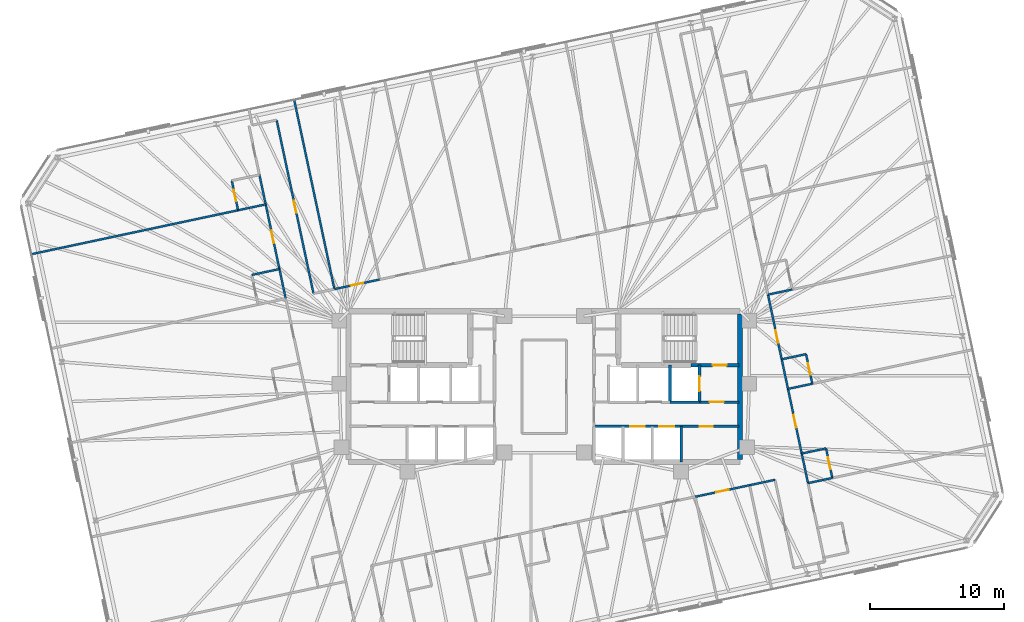
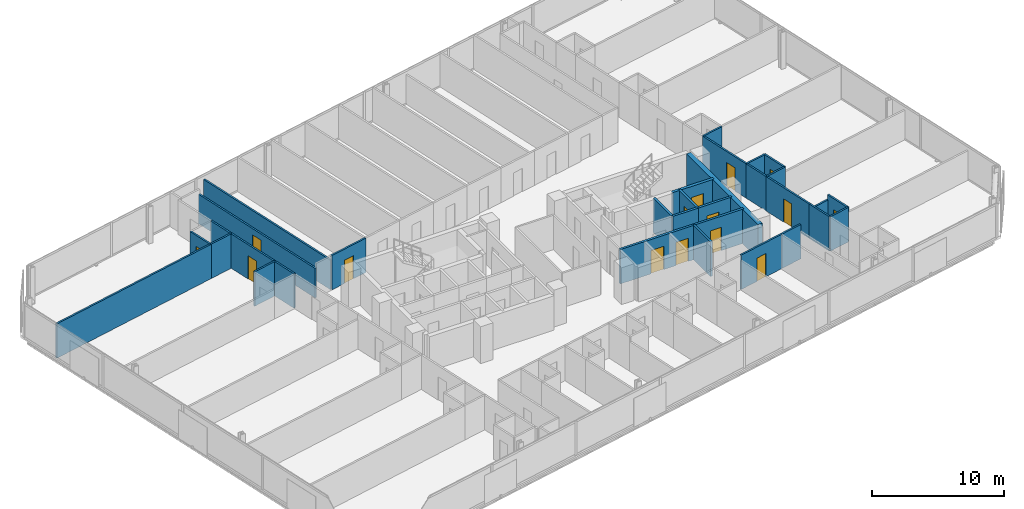
# One storey, part 17 of 21: 31 walls, 15 doors, 15 openings.
"""IFC4 building model written with IfcOpenShell, lengths in metres."""

import ifcopenshell
import ifcopenshell.guid

model = None  # the IFC model being written
_history = None  # IfcOwnerHistory: only IFC2X3 demands one
_inside = {}  # id of a spatial element -> (the spatial element, [elements in it])
_under = {}  # id of a project, library or spatial element -> (it, [spatial elements below it])
_declared = {}  # id of a project -> (the project, [libraries it declares])
_typed = {}  # id of a type object -> (the type object, [elements of that type])
_made_of = {}  # id of a material, layer set ... -> (it, [elements and type objects made of it])


def new_model(schema):
    """Start an empty IFC model of exactly this schema.

    Asked for "IFC4X3", IfcOpenShell would pick the latest addendum, in which some entities
    have other attributes; the version numbers below select the first issue.
    IFC2X3 requires an IfcOwnerHistory on every rooted entity: one is made here for all.
    """
    global model, _history
    if schema == "IFC4X3":
        model = ifcopenshell.file(schema_version=(4, 3, 0, 0))
    else:
        model = ifcopenshell.file(schema=schema)
    _inside.clear()
    _under.clear()
    _declared.clear()
    _typed.clear()
    _made_of.clear()
    _history = None
    if model.schema == "IFC2X3":
        org = make("IfcOrganization", Name="unknown")
        user = make(
            "IfcPersonAndOrganization",
            ThePerson=make("IfcPerson", FamilyName="unknown"),
            TheOrganization=org,
        )
        app = make(
            "IfcApplication",
            ApplicationDeveloper=org,
            Version="unknown",
            ApplicationFullName="unknown",
            ApplicationIdentifier="unknown",
        )
        _history = make(
            "IfcOwnerHistory",
            OwningUser=user,
            OwningApplication=app,
            ChangeAction="ADDED",
            CreationDate=0,
        )
    return model


def make(cls, **values):
    """One entity of the class cls with the attributes given. An attribute that is None is left unset."""
    return model.create_entity(
        cls, **{name: value for name, value in values.items() if value is not None}
    )


def rooted(cls, **values):
    """An entity with a GlobalId (a new one), such as an element, a storey or a relation."""
    return make(cls, GlobalId=ifcopenshell.guid.new(), OwnerHistory=_history, **values)


def si_unit(unit_type, name, prefix=None):
    """IfcSIUnit, for example si_unit("LENGTHUNIT", "METRE", prefix="MILLI")."""
    return make("IfcSIUnit", UnitType=unit_type, Prefix=prefix, Name=name)


def assignment(units):
    """IfcUnitAssignment: the units of a project."""
    return None if units is None else make("IfcUnitAssignment", Units=units)


def point(xyz):
    """IfcCartesianPoint."""
    return None if xyz is None else make("IfcCartesianPoint", Coordinates=xyz)


def direction(xyz):
    """IfcDirection."""
    return None if xyz is None else make("IfcDirection", DirectionRatios=xyz)


def frame(location, z_axis=None, x_axis=None):
    """IfcAxis2Placement3D, a coordinate frame: its origin and axes. An axis left out is left unset."""
    return make(
        "IfcAxis2Placement3D",
        Location=point(location),
        Axis=direction(z_axis),
        RefDirection=direction(x_axis),
    )


def frame_2d(location, x_axis=None):
    """IfcAxis2Placement2D, a coordinate frame in the plane: its origin and x axis."""
    return make(
        "IfcAxis2Placement2D", Location=point(location), RefDirection=direction(x_axis)
    )


def origin():
    """The frame at (0, 0, 0) with its axes left unset."""
    return frame((0.0, 0.0, 0.0))


def place(relative_to, where):
    """IfcLocalPlacement: puts the frame where relative to a parent placement (None: the world)."""
    return make(
        "IfcLocalPlacement", PlacementRelTo=relative_to, RelativePlacement=where
    )


def context(
    kind, dimensions, precision=None, world=None, true_north=None, identifier=None
):
    """IfcGeometricRepresentationContext, for example the 3D "Model" context."""
    return make(
        "IfcGeometricRepresentationContext",
        ContextIdentifier=identifier,
        ContextType=kind,
        CoordinateSpaceDimension=dimensions,
        Precision=precision,
        WorldCoordinateSystem=world,
        TrueNorth=true_north,
    )


def subcontext(parent, identifier, kind, view, scale=None):
    """IfcGeometricRepresentationSubContext, for example "Body" below "Model"."""
    return make(
        "IfcGeometricRepresentationSubContext",
        ContextIdentifier=identifier,
        ContextType=kind,
        ParentContext=parent,
        TargetScale=scale,
        TargetView=view,
    )


def project(units=None, contexts=None):
    """IfcProject with its units and contexts."""
    return rooted(
        "IfcProject",
        Name="project",
        RepresentationContexts=contexts,
        UnitsInContext=assignment(units),
    )


def spatial(cls, under=None, at=None, **own):
    """A site, building, storey or space (cls), placed at a placement, below another one or the project."""
    s = rooted(cls, ObjectPlacement=at, **own)
    if under is not None:
        _under.setdefault(under.id(), (under, []))[1].append(s)
    return s


def profile(cls, at=None, kind="AREA", **sizes):
    """A parametric profile (cls). Its sizes go by their IFC names, for example OverallWidth=200.0."""
    return make(cls, ProfileType=kind, Position=at, **sizes)


def rectangle(**sizes):
    """IfcRectangleProfileDef."""
    return profile("IfcRectangleProfileDef", **sizes)


def extrude(swept, where, along, depth):
    """IfcExtrudedAreaSolid: the profile swept, set in the frame where, extruded along a direction by depth."""
    return make(
        "IfcExtrudedAreaSolid",
        SweptArea=swept,
        Position=where,
        ExtrudedDirection=direction(along),
        Depth=depth,
    )


def shape(context_of_items, identifier, shape_type, items):
    """IfcShapeRepresentation: the items that make up one representation, for example the "Body"."""
    return make(
        "IfcShapeRepresentation",
        ContextOfItems=context_of_items,
        RepresentationIdentifier=identifier,
        RepresentationType=shape_type,
        Items=items,
    )


def material(Name=None, Category=None):
    """IfcMaterial."""
    return make("IfcMaterial", Name=Name, Category=Category)


def layer(
    of_material, thickness, ventilated=None, Name=None, Category=None, Priority=None
):
    """IfcMaterialLayer: one layer of a wall or slab, of a material (None: an air gap)."""
    return make(
        "IfcMaterialLayer",
        Material=of_material,
        LayerThickness=thickness,
        IsVentilated=ventilated,
        Name=Name,
        Category=Category,
        Priority=Priority,
    )


def layer_set(layers, Name=None):
    """IfcMaterialLayerSet."""
    return make("IfcMaterialLayerSet", MaterialLayers=layers, LayerSetName=Name)


def made_of(thing, what):
    """Note that an element or type object is made of a material, layer set ...; save() writes the relation."""
    if what is not None:
        _made_of.setdefault(what.id(), (what, []))[1].append(thing)
    return thing


def type_object(cls, material=None, **own):
    """A type object (cls), such as IfcWallType, which elements share."""
    return made_of(rooted(cls, **own), material)


def element(
    cls,
    number,
    at=None,
    inside=None,
    cuts=None,
    type_object=None,
    material=None,
    context=None,
    identifier="Body",
    shape_type=None,
    held_by="IfcProductDefinitionShape",
    body=None,
    shapes=None,
    **own,
):
    """One element of the class cls, such as IfcWall. Its Tag is "e" and its number.

    at: its placement. inside: the storey or other place that contains it. cuts: it is an
    opening in that element (IfcRelVoidsElement). A single representation is given by context,
    identifier, shape_type and body (its items); several are given by shapes. held_by: the class
    of the entity that holds the representations. save() writes the other relations.
    """
    e = rooted(cls, Tag="e%d" % number, ObjectPlacement=at, **own)
    if body is not None:
        shapes = [shape(context, identifier, shape_type, body)]
    if shapes is not None:
        e.Representation = make(held_by, Representations=shapes)
    if inside is not None:
        _inside.setdefault(inside.id(), (inside, []))[1].append(e)
    if cuts is not None:
        rooted(
            "IfcRelVoidsElement", RelatingBuildingElement=cuts, RelatedOpeningElement=e
        )
    if type_object is not None:
        _typed.setdefault(type_object.id(), (type_object, []))[1].append(e)
    return made_of(e, material)


def fill(opening, filler):
    """IfcRelFillsElement: the door or window that sits in an opening."""
    return rooted(
        "IfcRelFillsElement",
        RelatingOpeningElement=opening,
        RelatedBuildingElement=filler,
    )


def aggregate(whole, parts):
    """IfcRelAggregates: a whole, such as a stair, and the parts it consists of."""
    return rooted("IfcRelAggregates", RelatingObject=whole, RelatedObjects=parts)


def save(model, path):
    """Write the relations noted so far, then the file.

    IfcRelAggregates (storeys below a building ...), IfcRelContainedInSpatialStructure (elements
    in a storey), IfcRelDefinesByType, IfcRelAssociatesMaterial and IfcRelDeclares: one each for
    every whole, place, type object, material and project.
    """
    for whole, parts in _under.values():
        aggregate(whole, parts)
    for where, things in _inside.values():
        rooted(
            "IfcRelContainedInSpatialStructure",
            RelatedElements=things,
            RelatingStructure=where,
        )
    for kind, things in _typed.values():
        rooted("IfcRelDefinesByType", RelatedObjects=things, RelatingType=kind)
    for what, things in _made_of.values():
        rooted("IfcRelAssociatesMaterial", RelatedObjects=things, RelatingMaterial=what)
    for by, libraries in _declared.values():
        rooted("IfcRelDeclares", RelatingContext=by, RelatedDefinitions=libraries)
    model.write(path)


model = new_model("IFC4")

# Units and contexts
model_context = context("Model", 3, precision=1e-05, world=origin(), true_north=direction((0.0, 1.0)))
body_context = subcontext(model_context, "Body", "Model", "MODEL_VIEW")
ifc_project = project(units=[si_unit("LENGTHUNIT", "METRE"), si_unit("AREAUNIT", "SQUARE_METRE"), si_unit("VOLUMEUNIT", "CUBIC_METRE"), si_unit("PLANEANGLEUNIT", "RADIAN"), si_unit("MASSUNIT", "GRAM", prefix="KILO")], contexts=[model_context])

# Site, building, storey
site_placement = place(None, origin())
site = spatial("IfcSite", under=ifc_project, at=site_placement, CompositionType="ELEMENT")
building_placement = place(site_placement, origin())
building = spatial("IfcBuilding", under=site, at=building_placement, Name="Menara Jurai Vektor", CompositionType="ELEMENT")
storey_placement = place(building_placement, frame((0.0, 0.0, 168.39990234375)))
storey = spatial("IfcBuildingStorey", under=building, at=storey_placement, Name="L43", CompositionType="ELEMENT", Elevation=168.39990234375)

# Wall, opening, door
ifc_material_1 = material(Name="Concrete C40/50", Category="concrete")
ifc_layer_1 = layer(ifc_material_1, 0.25)
ifc_layer_set_1 = layer_set([ifc_layer_1], Name="Concrete C40/50")
wall_type_1 = type_object("IfcWallType", Name="INT-WALL-CORE-250", PredefinedType="STANDARD", material=ifc_layer_set_1)
wall_1_placement = place(storey_placement, frame((10.89990234375, 1.60009765625, 0.0), z_axis=(0.0, 0.0, 1.0), x_axis=(1.0, 0.0, 0.0)))
wall_1 = element("IfcWall", 1, at=wall_1_placement, inside=storey, type_object=wall_type_1, Name="Interior Wall IW-250 L43", PredefinedType="STANDARD", context=body_context, shape_type="SweptSolid", body=[
    extrude(rectangle(XDim=3.60009765625, YDim=0.25, at=frame_2d((1.800048828125, 0.0))), origin(), (0.0, 0.0, 1.0), 3.175048828125),
])
opening_1_placement = place(wall_1_placement, frame((1.6201171875, 0.0, 0.0)))
opening_1 = element("IfcOpeningElement", 2, at=opening_1_placement, cuts=wall_1, Name="Opening D-L43-ST2", PredefinedType="OPENING", context=body_context, shape_type="SweptSolid", body=[
    extrude(rectangle(XDim=1.050048828125, YDim=2.14990234375, at=frame_2d((0.52490234375, 1.074951171875))), frame((0.0, 0.135009765625, 0.0), z_axis=(0.0, -1.0, 0.0), x_axis=(1.0, 0.0, 0.0)), (0.0, 0.0, 1.0), 0.27001953125),
])
ifc_material_2 = material(Name="Fire-Rated Steel Door", Category="steel")
door_type_1 = type_object("IfcDoorType", Name="DR-STAIR-1050", OperationType="NOTDEFINED", PredefinedType="DOOR", material=ifc_material_2)
door_1_placement = place(opening_1_placement, origin())
door_1 = element("IfcDoor", 3, at=door_1_placement, inside=storey, type_object=door_type_1, Name="Exit Stair ST2 Door L43", OperationType="SINGLE_SWING_LEFT", OverallHeight=2.14990234375, OverallWidth=1.050048828125, PredefinedType="DOOR", context=body_context, shape_type="SweptSolid", body=[
    extrude(rectangle(XDim=1.050048828125, YDim=2.14990234375, at=frame_2d((0.52490234375, 1.074951171875))), frame((0.0, 0.02490234375, 0.0), z_axis=(0.0, -1.0, 0.0), x_axis=(1.0, 0.0, 0.0)), (0.0, 0.0, 1.0), 0.050048828125),
])
fill(opening_1, door_1)

wall_2_placement = place(storey_placement, frame((11.550048828125, -1.14990234375, 0.0), z_axis=(0.0, 0.0, 1.0), x_axis=(0.0, 1.0, 0.0)))
wall_2 = element("IfcWall", 4, at=wall_2_placement, inside=storey, type_object=wall_type_1, Name="Interior Wall IW-250 L43", PredefinedType="STANDARD", context=body_context, shape_type="SweptSolid", body=[
    extrude(rectangle(XDim=2.75, YDim=0.199951171875, at=frame_2d((1.375, 0.0))), origin(), (0.0, 0.0, 1.0), 3.175048828125),
])
opening_2_placement = place(wall_2_placement, frame((0.824951171875, 0.0, 0.0)))
opening_2 = element("IfcOpeningElement", 5, at=opening_2_placement, cuts=wall_2, Name="Opening LD-L43-FL2", PredefinedType="OPENING", context=body_context, shape_type="SweptSolid", body=[
    extrude(rectangle(XDim=1.10009765625, YDim=2.14990234375, at=frame_2d((0.550048828125, 1.074951171875))), frame((0.0, 0.10986328125, 0.0), z_axis=(0.0, -1.0, 0.0), x_axis=(1.0, 0.0, 0.0)), (0.0, 0.0, 1.0), 0.219970703125),
])
ifc_material_3 = material(Name="Stainless Steel Sliding Lift Landing Door", Category="steel")
door_type_2 = type_object("IfcDoorType", Name="DR-LIFT-FIRE-1100", OperationType="NOTDEFINED", PredefinedType="DOOR", material=ifc_material_3)
door_2_placement = place(opening_2_placement, origin())
door_2 = element("IfcDoor", 6, at=door_2_placement, inside=storey, type_object=door_type_2, Name="Lift Landing Door FL2 L43", OperationType="SLIDING_TO_RIGHT", OverallHeight=2.14990234375, OverallWidth=1.10009765625, PredefinedType="DOOR", context=body_context, shape_type="SweptSolid", body=[
    extrude(rectangle(XDim=1.10009765625, YDim=2.14990234375, at=frame_2d((0.550048828125, 1.074951171875))), frame((0.0, 0.02490234375, 0.0), z_axis=(0.0, -1.0, 0.0), x_axis=(1.0, 0.0, 0.0)), (0.0, 0.0, 1.0), 0.050048828125),
])
fill(opening_2, door_2)

# Wall
wall_3_placement = place(storey_placement, frame((9.35009765625, -1.14990234375, 0.0), z_axis=(0.0, 0.0, 1.0), x_axis=(0.0, 1.0, 0.0)))
element("IfcWall", 7, at=wall_3_placement, inside=storey, type_object=wall_type_1, Name="Interior Wall IW-250 L43", PredefinedType="STANDARD", context=body_context, shape_type="SweptSolid", body=[
    extrude(rectangle(XDim=2.75, YDim=0.199951171875, at=frame_2d((1.375, 0.0))), origin(), (0.0, 0.0, 1.0), 3.175048828125),
])

# Wall, opening, door
wall_4_placement = place(storey_placement, frame((11.550048828125, -1.14990234375, 0.0), z_axis=(0.0, 0.0, 1.0), x_axis=(1.0, 0.0, 0.0)))
wall_4 = element("IfcWall", 8, at=wall_4_placement, inside=storey, type_object=wall_type_1, Name="Interior Wall IW-250 L43", PredefinedType="STANDARD", context=body_context, shape_type="SweptSolid", body=[
    extrude(rectangle(XDim=2.949951171875, YDim=0.199951171875, at=frame_2d((1.47509765625, 0.0))), origin(), (0.0, 0.0, 1.0), 3.175048828125),
])
opening_3_placement = place(wall_4_placement, frame((0.75, 0.0, 0.0)))
opening_3 = element("IfcOpeningElement", 9, at=opening_3_placement, cuts=wall_4, Name="Opening D-L43-FFE", PredefinedType="OPENING", context=body_context, shape_type="SweptSolid", body=[
    extrude(rectangle(XDim=1.050048828125, YDim=2.179931640625, at=frame_2d((0.52490234375, 1.08984375))), frame((0.0, 0.10986328125, 0.0), z_axis=(0.0, -1.0, 0.0), x_axis=(1.0, 0.0, 0.0)), (0.0, 0.0, 1.0), 0.219970703125),
])
ifc_material_4 = material(Name="Fire-Rated Timber Door", Category="wood")
door_type_3 = type_object("IfcDoorType", Name="DR-LOBBY-1050", OperationType="NOTDEFINED", PredefinedType="DOOR", material=ifc_material_4)
door_3_placement = place(opening_3_placement, origin())
door_3 = element("IfcDoor", 10, at=door_3_placement, inside=storey, type_object=door_type_3, Name="Fire Lift Lobby Door E L43", OperationType="SINGLE_SWING_LEFT", OverallHeight=2.179931640625, OverallWidth=1.050048828125, PredefinedType="DOOR", context=body_context, shape_type="SweptSolid", body=[
    extrude(rectangle(XDim=1.050048828125, YDim=2.179931640625, at=frame_2d((0.52490234375, 1.08984375))), frame((0.0, 0.02490234375, 0.0), z_axis=(0.0, -1.0, 0.0), x_axis=(1.0, 0.0, 0.0)), (0.0, 0.0, 1.0), 0.050048828125),
])
fill(opening_3, door_3)

# Wall
wall_5_placement = place(storey_placement, frame((9.35009765625, -1.14990234375, 0.0), z_axis=(0.0, 0.0, 1.0), x_axis=(1.0, 0.0, 0.0)))
element("IfcWall", 11, at=wall_5_placement, inside=storey, type_object=wall_type_1, Name="Interior Wall IW-250 L43", PredefinedType="STANDARD", context=body_context, shape_type="SweptSolid", body=[
    extrude(rectangle(XDim=2.199951171875, YDim=0.199951171875, at=frame_2d((1.10009765625, 0.0))), origin(), (0.0, 0.0, 1.0), 3.175048828125),
])

# Wall, opening, door
ifc_material_5 = material(Name="Gypsum Fireboard Partition", Category="gypsum")
ifc_layer_2 = layer(ifc_material_5, 0.14990234375)
ifc_layer_set_2 = layer_set([ifc_layer_2], Name="Gypsum Fireboard Partition")
wall_type_2 = type_object("IfcWallType", Name="INT-WALL-CORR-150", PredefinedType="PARTITIONING", material=ifc_layer_set_2)
wall_6_placement = place(storey_placement, frame((-15.608154296875, 7.25634765625, 0.0), z_axis=(0.0, 0.0, 1.0), x_axis=(0.978154160849, 0.207880825506, 0.0)))
wall_6 = element("IfcWall", 12, at=wall_6_placement, inside=storey, type_object=wall_type_2, Name="Interior Wall IW-150 L43", PredefinedType="PARTITIONING", context=body_context, shape_type="SweptSolid", body=[
    extrude(rectangle(XDim=3.43994140625, YDim=0.14990234375, at=frame_2d((1.719970703125, 0.0))), origin(), (0.0, 0.0, 1.0), 3.175048828125),
])
opening_4_placement = place(wall_6_placement, frame((1.260009765625, 0.0, 0.0)))
opening_4 = element("IfcOpeningElement", 13, at=opening_4_placement, cuts=wall_6, Name="Opening D43-08", PredefinedType="OPENING", context=body_context, shape_type="SweptSolid", body=[
    extrude(rectangle(XDim=0.919921875, YDim=2.14990234375, at=frame_2d((0.4599609375, 1.074951171875))), frame((0.0, 0.0849609375, 0.0), z_axis=(0.0, -1.0, 0.0), x_axis=(1.0, 0.0, 0.0)), (0.0, 0.0, 1.0), 0.169921875),
])
ifc_material_6 = material(Name="Solid Core Timber Fire Door", Category="wood")
door_type_4 = type_object("IfcDoorType", Name="DR-ENTRY-950", OperationType="NOTDEFINED", PredefinedType="DOOR", material=ifc_material_6)
door_4_placement = place(opening_4_placement, origin())
door_4 = element("IfcDoor", 14, at=door_4_placement, inside=storey, type_object=door_type_4, Name="Interior Door D43-08", OperationType="SINGLE_SWING_LEFT", OverallHeight=2.14990234375, OverallWidth=0.919921875, PredefinedType="DOOR", context=body_context, shape_type="SweptSolid", body=[
    extrude(rectangle(XDim=0.919921875, YDim=2.14990234375, at=frame_2d((0.4599609375, 1.074951171875))), frame((0.0, 0.02490234375, 0.0), z_axis=(0.0, -1.0, 0.0), x_axis=(1.0, 0.0, 0.0)), (0.0, 0.0, 1.0), 0.050048828125),
])
fill(opening_4, door_4)

wall_7_placement = place(storey_placement, frame((11.23388671875, -8.185302734375, 0.0), z_axis=(0.0, 0.0, 1.0), x_axis=(0.978155092113, 0.207876443525, 0.0)))
wall_7 = element("IfcWall", 15, at=wall_7_placement, inside=storey, type_object=wall_type_2, Name="Interior Wall IW-150 L43", PredefinedType="PARTITIONING", context=body_context, shape_type="SweptSolid", body=[
    extrude(rectangle(XDim=4.126953125, YDim=0.14990234375, at=frame_2d((2.0634765625, 0.0))), origin(), (0.0, 0.0, 1.0), 3.175048828125),
])
opening_5_placement = place(wall_7_placement, frame((1.603515625, 0.0, 0.0)))
opening_5 = element("IfcOpeningElement", 16, at=opening_5_placement, cuts=wall_7, Name="Opening D43-28", PredefinedType="OPENING", context=body_context, shape_type="SweptSolid", body=[
    extrude(rectangle(XDim=0.919921875, YDim=2.14990234375, at=frame_2d((0.4599609375, 1.074951171875))), frame((0.0, 0.0849609375, 0.0), z_axis=(0.0, -1.0, 0.0), x_axis=(1.0, 0.0, 0.0)), (0.0, 0.0, 1.0), 0.169921875),
])
door_5_placement = place(opening_5_placement, origin())
door_5 = element("IfcDoor", 17, at=door_5_placement, inside=storey, type_object=door_type_4, Name="Interior Door D43-28", OperationType="SINGLE_SWING_LEFT", OverallHeight=2.14990234375, OverallWidth=0.919921875, PredefinedType="DOOR", context=body_context, shape_type="SweptSolid", body=[
    extrude(rectangle(XDim=0.919921875, YDim=2.14990234375, at=frame_2d((0.4599609375, 1.074951171875))), frame((0.0, 0.02490234375, 0.0), z_axis=(0.0, -1.0, 0.0), x_axis=(1.0, 0.0, 0.0)), (0.0, 0.0, 1.0), 0.050048828125),
])
fill(opening_5, door_5)

# Wall
wall_8_placement = place(storey_placement, frame((15.270751953125, -7.327392578125, 0.0), z_axis=(0.0, 0.0, 1.0), x_axis=(0.978150188204, 0.207899517354, 0.0)))
element("IfcWall", 18, at=wall_8_placement, inside=storey, type_object=wall_type_2, Name="Interior Wall IW-150 L43", PredefinedType="PARTITIONING", context=body_context, shape_type="SweptSolid", body=[
    extrude(rectangle(XDim=1.93408203125, YDim=0.14990234375, at=frame_2d((0.967041015625, 0.0))), origin(), (0.0, 0.0, 1.0), 3.175048828125),
])

# Wall, opening, door
wall_9_placement = place(storey_placement, frame((-19.697265625, 8.750732421875, 0.0), z_axis=(0.0, 0.0, 1.0), x_axis=(-0.207887265829, 0.978152792107, 0.0)))
wall_9 = element("IfcWall", 19, at=wall_9_placement, inside=storey, type_object=wall_type_2, Name="Interior Wall IW-150 L43", PredefinedType="PARTITIONING", context=body_context, shape_type="SweptSolid", body=[
    extrude(rectangle(XDim=4.916015625, YDim=0.14990234375, at=frame_2d((2.4580078125, 0.0))), origin(), (0.0, 0.0, 1.0), 3.175048828125),
])
opening_6_placement = place(wall_9_placement, frame((1.98291015625, 0.0, 0.0)))
opening_6 = element("IfcOpeningElement", 20, at=opening_6_placement, cuts=wall_9, Name="Opening D43-38", PredefinedType="OPENING", context=body_context, shape_type="SweptSolid", body=[
    extrude(rectangle(XDim=0.949951171875, YDim=2.14990234375, at=frame_2d((0.47509765625, 1.074951171875))), frame((0.0, 0.0849609375, 0.0), z_axis=(0.0, -1.0, 0.0), x_axis=(1.0, 0.0, 0.0)), (0.0, 0.0, 1.0), 0.169921875),
])
door_6_placement = place(opening_6_placement, origin())
door_6 = element("IfcDoor", 21, at=door_6_placement, inside=storey, type_object=door_type_4, Name="Interior Door D43-38", OperationType="SINGLE_SWING_LEFT", OverallHeight=2.14990234375, OverallWidth=0.949951171875, PredefinedType="DOOR", context=body_context, shape_type="SweptSolid", body=[
    extrude(rectangle(XDim=0.949951171875, YDim=2.14990234375, at=frame_2d((0.47509765625, 1.074951171875))), frame((0.0, 0.02490234375, 0.0), z_axis=(0.0, -1.0, 0.0), x_axis=(1.0, 0.0, 0.0)), (0.0, 0.0, 1.0), 0.050048828125),
])
fill(opening_6, door_6)

# Walls
for number, where, z_axis, x_axis, name in (
    (22, (-19.2294921875, 6.5498046875, 0.0), (0.0, 0.0, 1.0), (-0.207891197838, 0.978151956427, 0.0), "Interior Wall IW-150 L43"),
    (23, (-20.71923828125, 13.559326171875, 0.0), (0.0, 0.0, 1.0), (-0.207891197838, 0.978151956427, 0.0), "Interior Wall IW-150 L43"),
):
    element("IfcWall", number, at=place(storey_placement, frame(where, z_axis=z_axis, x_axis=x_axis)), inside=storey, type_object=wall_type_2, Name=name, PredefinedType="PARTITIONING", context=body_context, shape_type="SweptSolid", body=[
        extrude(rectangle(XDim=2.25, YDim=0.14990234375, at=frame_2d((1.125, 0.0))), origin(), (0.0, 0.0, 1.0), 3.175048828125),
    ])

# Wall, opening, door
wall_10_placement = place(storey_placement, frame((19.14990234375, -4.972412109375, 0.0), z_axis=(0.0, 0.0, 1.0), x_axis=(-0.207934781332, 0.978142692409, 0.0)))
wall_10 = element("IfcWall", 24, at=wall_10_placement, inside=storey, type_object=wall_type_2, Name="Interior Wall IW-150 L43", PredefinedType="PARTITIONING", context=body_context, shape_type="SweptSolid", body=[
    extrude(rectangle(XDim=4.916015625, YDim=0.14990234375, at=frame_2d((2.4580078125, 0.0))), origin(), (0.0, 0.0, 1.0), 3.175048828125),
])
opening_7_placement = place(wall_10_placement, frame((1.98291015625, 0.0, 0.0)))
opening_7 = element("IfcOpeningElement", 25, at=opening_7_placement, cuts=wall_10, Name="Opening D43-44", PredefinedType="OPENING", context=body_context, shape_type="SweptSolid", body=[
    extrude(rectangle(XDim=0.949951171875, YDim=2.14990234375, at=frame_2d((0.47509765625, 1.074951171875))), frame((0.0, 0.0849609375, 0.0), z_axis=(0.0, -1.0, 0.0), x_axis=(1.0, 0.0, 0.0)), (0.0, 0.0, 1.0), 0.169921875),
])
door_7_placement = place(opening_7_placement, origin())
door_7 = element("IfcDoor", 26, at=door_7_placement, inside=storey, type_object=door_type_4, Name="Interior Door D43-44", OperationType="SINGLE_SWING_LEFT", OverallHeight=2.14990234375, OverallWidth=0.949951171875, PredefinedType="DOOR", context=body_context, shape_type="SweptSolid", body=[
    extrude(rectangle(XDim=0.949951171875, YDim=2.14990234375, at=frame_2d((0.47509765625, 1.074951171875))), frame((0.0, 0.02490234375, 0.0), z_axis=(0.0, -1.0, 0.0), x_axis=(1.0, 0.0, 0.0)), (0.0, 0.0, 1.0), 0.050048828125),
])
fill(opening_7, door_7)

# Wall
wall_11_placement = place(storey_placement, frame((19.61767578125, -7.173095703125, 0.0), z_axis=(0.0, 0.0, 1.0), x_axis=(-0.207913264065, 0.978147266328, 0.0)))
element("IfcWall", 27, at=wall_11_placement, inside=storey, type_object=wall_type_2, Name="Interior Wall IW-150 L43", PredefinedType="PARTITIONING", context=body_context, shape_type="SweptSolid", body=[
    extrude(rectangle(XDim=2.249755859375, YDim=0.14990234375, at=frame_2d((1.125, 0.0))), origin(), (0.0, 0.0, 1.0), 3.175048828125),
])

# Wall, opening, door
wall_12_placement = place(storey_placement, frame((17.659912109375, 2.037109375, 0.0), z_axis=(0.0, 0.0, 1.0), x_axis=(-0.207894386012, 0.978151278824, 0.0)))
wall_12 = element("IfcWall", 28, at=wall_12_placement, inside=storey, type_object=wall_type_2, Name="Interior Wall IW-150 L43", PredefinedType="PARTITIONING", context=body_context, shape_type="SweptSolid", body=[
    extrude(rectangle(XDim=4.9169921875, YDim=0.14990234375, at=frame_2d((2.45849609375, 0.0))), origin(), (0.0, 0.0, 1.0), 3.175048828125),
])
opening_8_placement = place(wall_12_placement, frame((1.24609375, 0.0, 0.0)))
opening_8 = element("IfcOpeningElement", 29, at=opening_8_placement, cuts=wall_12, Name="Opening D43-46", PredefinedType="OPENING", context=body_context, shape_type="SweptSolid", body=[
    extrude(rectangle(XDim=0.949951171875, YDim=2.14990234375, at=frame_2d((0.47509765625, 1.074951171875))), frame((0.0, 0.0849609375, 0.0), z_axis=(0.0, -1.0, 0.0), x_axis=(1.0, 0.0, 0.0)), (0.0, 0.0, 1.0), 0.169921875),
])
door_8_placement = place(opening_8_placement, origin())
door_8 = element("IfcDoor", 30, at=door_8_placement, inside=storey, type_object=door_type_4, Name="Interior Door D43-46", OperationType="SINGLE_SWING_LEFT", OverallHeight=2.14990234375, OverallWidth=0.949951171875, PredefinedType="DOOR", context=body_context, shape_type="SweptSolid", body=[
    extrude(rectangle(XDim=0.949951171875, YDim=2.14990234375, at=frame_2d((0.47509765625, 1.074951171875))), frame((0.0, 0.02490234375, 0.0), z_axis=(0.0, -1.0, 0.0), x_axis=(1.0, 0.0, 0.0)), (0.0, 0.0, 1.0), 0.050048828125),
])
fill(opening_8, door_8)

# Walls
wall_13_placement = place(storey_placement, frame((18.127685546875, -0.163818359375, 0.0), z_axis=(0.0, 0.0, 1.0), x_axis=(-0.207891197838, 0.978151956427, 0.0)))
element("IfcWall", 31, at=wall_13_placement, inside=storey, type_object=wall_type_2, Name="Interior Wall IW-150 L43", PredefinedType="PARTITIONING", context=body_context, shape_type="SweptSolid", body=[
    extrude(rectangle(XDim=2.25, YDim=0.14990234375, at=frame_2d((1.125, 0.0))), origin(), (0.0, 0.0, 1.0), 3.175048828125),
])
wall_14_placement = place(storey_placement, frame((-21.751220703125, 8.314208984375, 0.0), z_axis=(0.0, 0.0, 1.0), x_axis=(0.978153236239, 0.207885176084, 0.0)))
element("IfcWall", 32, at=wall_14_placement, inside=storey, type_object=wall_type_2, Name="Interior Wall IW-150 L43", PredefinedType="PARTITIONING", context=body_context, shape_type="SweptSolid", body=[
    extrude(rectangle(XDim=2.099853515625, YDim=0.14990234375, at=frame_2d((1.0498046875, 0.0))), origin(), (0.0, 0.0, 1.0), 3.175048828125),
])
wall_15_placement = place(storey_placement, frame((-38.14794921875, 9.854736328125, 0.0), z_axis=(0.0, 0.0, 1.0), x_axis=(0.978146137903, 0.207918572776, 0.0)))
element("IfcWall", 33, at=wall_15_placement, inside=storey, type_object=wall_type_2, Name="Interior Wall IW-150 L43", PredefinedType="PARTITIONING", context=body_context, shape_type="SweptSolid", body=[
    extrude(rectangle(XDim=15.718017578125, YDim=0.14990234375, at=frame_2d((7.85888671875, 0.0))), origin(), (0.0, 0.0, 1.0), 3.175048828125),
])
wall_16_placement = place(storey_placement, frame((-22.7734375, 13.122802734375, 0.0), z_axis=(0.0, 0.0, 1.0), x_axis=(0.97815826, 0.207861536591, 0.0)))
element("IfcWall", 34, at=wall_16_placement, inside=storey, type_object=wall_type_2, Name="Interior Wall IW-150 L43", PredefinedType="PARTITIONING", context=body_context, shape_type="SweptSolid", body=[
    extrude(rectangle(XDim=2.10009765625, YDim=0.14990234375, at=frame_2d((1.050048828125, 0.0))), origin(), (0.0, 0.0, 1.0), 3.175048828125),
])

# Wall, opening, door
wall_17_placement = place(storey_placement, frame((-22.7734375, 13.122802734375, 0.0), z_axis=(0.0, 0.0, 1.0), x_axis=(-0.207913264065, 0.978147266328, 0.0)))
wall_17 = element("IfcWall", 35, at=wall_17_placement, inside=storey, type_object=wall_type_2, Name="Interior Wall IW-150 L43", PredefinedType="PARTITIONING", context=body_context, shape_type="SweptSolid", body=[
    extrude(rectangle(XDim=2.249755859375, YDim=0.14990234375, at=frame_2d((1.125, 0.0))), origin(), (0.0, 0.0, 1.0), 3.175048828125),
])
opening_9_placement = place(wall_17_placement, frame((0.68505859375, 0.0, 0.0)))
opening_9 = element("IfcOpeningElement", 36, at=opening_9_placement, cuts=wall_17, Name="Opening D43-41", PredefinedType="OPENING", context=body_context, shape_type="SweptSolid", body=[
    extrude(rectangle(XDim=0.8798828125, YDim=2.14990234375, at=frame_2d((0.43994140625, 1.074951171875))), frame((0.0, 0.0849609375, 0.0), z_axis=(0.0, -1.0, 0.0), x_axis=(1.0, 0.0, 0.0)), (0.0, 0.0, 1.0), 0.169921875),
])
ifc_material_7 = material(Name="Moisture-Resistant Timber Door", Category="wood")
door_type_5 = type_object("IfcDoorType", Name="DR-BATH-880", OperationType="NOTDEFINED", PredefinedType="DOOR", material=ifc_material_7)
door_9_placement = place(opening_9_placement, origin())
door_9 = element("IfcDoor", 37, at=door_9_placement, inside=storey, type_object=door_type_5, Name="Interior Door D43-41", OperationType="SINGLE_SWING_RIGHT", OverallHeight=2.14990234375, OverallWidth=0.8798828125, PredefinedType="DOOR", context=body_context, shape_type="SweptSolid", body=[
    extrude(rectangle(XDim=0.8798828125, YDim=2.14990234375, at=frame_2d((0.43994140625, 1.074951171875))), frame((0.0, 0.02490234375, 0.0), z_axis=(0.0, -1.0, 0.0), x_axis=(1.0, 0.0, 0.0)), (0.0, 0.0, 1.0), 0.050048828125),
])
fill(opening_9, door_9)

# Wall
wall_18_placement = place(storey_placement, frame((19.61767578125, -7.173095703125, 0.0), z_axis=(0.0, 0.0, 1.0), x_axis=(0.978160192495, 0.207852442415, 0.0)))
element("IfcWall", 38, at=wall_18_placement, inside=storey, type_object=wall_type_2, Name="Interior Wall IW-150 L43", PredefinedType="PARTITIONING", context=body_context, shape_type="SweptSolid", body=[
    extrude(rectangle(XDim=1.849853515625, YDim=0.14990234375, at=frame_2d((0.9248046875, 0.0))), origin(), (0.0, 0.0, 1.0), 3.175048828125),
])

# Wall, opening, door
wall_19_placement = place(storey_placement, frame((21.42724609375, -6.78857421875, 0.0), z_axis=(0.0, 0.0, 1.0), x_axis=(-0.207891197838, 0.978151956427, 0.0)))
wall_19 = element("IfcWall", 39, at=wall_19_placement, inside=storey, type_object=wall_type_2, Name="Interior Wall IW-150 L43", PredefinedType="PARTITIONING", context=body_context, shape_type="SweptSolid", body=[
    extrude(rectangle(XDim=2.25, YDim=0.14990234375, at=frame_2d((1.125, 0.0))), origin(), (0.0, 0.0, 1.0), 3.175048828125),
])
opening_10_placement = place(wall_19_placement, frame((0.68505859375, 0.0, 0.0)))
opening_10 = element("IfcOpeningElement", 40, at=opening_10_placement, cuts=wall_19, Name="Opening D43-45", PredefinedType="OPENING", context=body_context, shape_type="SweptSolid", body=[
    extrude(rectangle(XDim=0.8798828125, YDim=2.14990234375, at=frame_2d((0.43994140625, 1.074951171875))), frame((0.0, 0.0849609375, 0.0), z_axis=(0.0, -1.0, 0.0), x_axis=(1.0, 0.0, 0.0)), (0.0, 0.0, 1.0), 0.169921875),
])
door_10_placement = place(opening_10_placement, origin())
door_10 = element("IfcDoor", 41, at=door_10_placement, inside=storey, type_object=door_type_5, Name="Interior Door D43-45", OperationType="SINGLE_SWING_RIGHT", OverallHeight=2.14990234375, OverallWidth=0.8798828125, PredefinedType="DOOR", context=body_context, shape_type="SweptSolid", body=[
    extrude(rectangle(XDim=0.8798828125, YDim=2.14990234375, at=frame_2d((0.43994140625, 1.074951171875))), frame((0.0, 0.02490234375, 0.0), z_axis=(0.0, -1.0, 0.0), x_axis=(1.0, 0.0, 0.0)), (0.0, 0.0, 1.0), 0.050048828125),
])
fill(opening_10, door_10)

# Walls
wall_20_placement = place(storey_placement, frame((18.127685546875, -0.163818359375, 0.0), z_axis=(0.0, 0.0, 1.0), x_axis=(0.978165892835, 0.207825614625, 0.0)))
element("IfcWall", 42, at=wall_20_placement, inside=storey, type_object=wall_type_2, Name="Interior Wall IW-150 L43", PredefinedType="PARTITIONING", context=body_context, shape_type="SweptSolid", body=[
    extrude(rectangle(XDim=1.85009765625, YDim=0.14990234375, at=frame_2d((0.925048828125, 0.0))), origin(), (0.0, 0.0, 1.0), 3.175048828125),
])
wall_21_placement = place(storey_placement, frame((17.659912109375, 2.037109375, 0.0), z_axis=(0.0, 0.0, 1.0), x_axis=(0.978160192495, 0.207852442415, 0.0)))
element("IfcWall", 43, at=wall_21_placement, inside=storey, type_object=wall_type_2, Name="Interior Wall IW-150 L43", PredefinedType="PARTITIONING", context=body_context, shape_type="SweptSolid", body=[
    extrude(rectangle(XDim=1.849853515625, YDim=0.14990234375, at=frame_2d((0.9248046875, 0.0))), origin(), (0.0, 0.0, 1.0), 3.175048828125),
])

# Wall, opening, door
wall_22_placement = place(storey_placement, frame((19.9375, 0.220703125, 0.0), z_axis=(0.0, 0.0, 1.0), x_axis=(-0.207995007687, 0.978129887478, 0.0)))
wall_22 = element("IfcWall", 44, at=wall_22_placement, inside=storey, type_object=wall_type_2, Name="Interior Wall IW-150 L43", PredefinedType="PARTITIONING", context=body_context, shape_type="SweptSolid", body=[
    extrude(rectangle(XDim=2.250244140625, YDim=0.14990234375, at=frame_2d((1.125, 0.0))), origin(), (0.0, 0.0, 1.0), 3.175048828125),
])
opening_11_placement = place(wall_22_placement, frame((0.68505859375, 0.0, 0.0)))
opening_11 = element("IfcOpeningElement", 45, at=opening_11_placement, cuts=wall_22, Name="Opening D43-47", PredefinedType="OPENING", context=body_context, shape_type="SweptSolid", body=[
    extrude(rectangle(XDim=0.8798828125, YDim=2.14990234375, at=frame_2d((0.43994140625, 1.074951171875))), frame((0.0, 0.0849609375, 0.0), z_axis=(0.0, -1.0, 0.0), x_axis=(1.0, 0.0, 0.0)), (0.0, 0.0, 1.0), 0.169921875),
])
door_11_placement = place(opening_11_placement, origin())
door_11 = element("IfcDoor", 46, at=door_11_placement, inside=storey, type_object=door_type_5, Name="Interior Door D43-47", OperationType="SINGLE_SWING_RIGHT", OverallHeight=2.14990234375, OverallWidth=0.8798828125, PredefinedType="DOOR", context=body_context, shape_type="SweptSolid", body=[
    extrude(rectangle(XDim=0.8798828125, YDim=2.14990234375, at=frame_2d((0.43994140625, 1.074951171875))), frame((0.0, 0.02490234375, 0.0), z_axis=(0.0, -1.0, 0.0), x_axis=(1.0, 0.0, 0.0)), (0.0, 0.0, 1.0), 0.050048828125),
])
fill(opening_11, door_11)

# Wall
wall_23_placement = place(storey_placement, frame((16.6376953125, 6.8466796875, 0.0), z_axis=(0.0, 0.0, 1.0), x_axis=(0.978160192495, 0.207852442415, 0.0)))
element("IfcWall", 47, at=wall_23_placement, inside=storey, type_object=wall_type_2, Name="Interior Wall IW-150 L43", PredefinedType="PARTITIONING", context=body_context, shape_type="SweptSolid", body=[
    extrude(rectangle(XDim=1.849853515625, YDim=0.14990234375, at=frame_2d((0.9248046875, 0.0))), origin(), (0.0, 0.0, 1.0), 3.175048828125),
])

# Wall, opening, door
ifc_layer_3 = layer(ifc_material_5, 0.14990234375)
ifc_layer_set_3 = layer_set([ifc_layer_3], Name="Gypsum Fireboard Partition")
wall_type_3 = type_object("IfcWallType", Name="INT-WALL-CORR-150-H1", PredefinedType="PARTITIONING", material=ifc_layer_set_3)
wall_24_placement = place(storey_placement, frame((-17.162353515625, 6.92578125, 0.0), z_axis=(0.0, 0.0, 1.0), x_axis=(-0.207911421929, 0.978147657888, 0.0)))
wall_24 = element("IfcWall", 48, at=wall_24_placement, inside=storey, type_object=wall_type_3, Name="Interior Wall IW-150 L43", PredefinedType="PARTITIONING", context=body_context, shape_type="SweptSolid", body=[
    extrude(rectangle(XDim=13.195068359375, YDim=0.14990234375, at=frame_2d((6.59765625, 0.0))), origin(), (0.0, 0.0, 1.0), 2.72509765625),
])
opening_12_placement = place(wall_24_placement, frame((6.137451171875, 0.0, 0.0)))
opening_12 = element("IfcOpeningElement", 49, at=opening_12_placement, cuts=wall_24, Name="Opening D43-07", PredefinedType="OPENING", context=body_context, shape_type="SweptSolid", body=[
    extrude(rectangle(XDim=0.919921875, YDim=2.14990234375, at=frame_2d((0.4599609375, 1.074951171875))), frame((0.0, 0.0849609375, 0.0), z_axis=(0.0, -1.0, 0.0), x_axis=(1.0, 0.0, 0.0)), (0.0, 0.0, 1.0), 0.169921875),
])
door_12_placement = place(opening_12_placement, origin())
door_12 = element("IfcDoor", 50, at=door_12_placement, inside=storey, type_object=door_type_4, Name="Interior Door D43-07", OperationType="SINGLE_SWING_RIGHT", OverallHeight=2.14990234375, OverallWidth=0.919921875, PredefinedType="DOOR", context=body_context, shape_type="SweptSolid", body=[
    extrude(rectangle(XDim=0.919921875, YDim=2.14990234375, at=frame_2d((0.4599609375, 1.074951171875))), frame((0.0, 0.02490234375, 0.0), z_axis=(0.0, -1.0, 0.0), x_axis=(1.0, 0.0, 0.0)), (0.0, 0.0, 1.0), 0.050048828125),
])
fill(opening_12, door_12)

# Walls
wall_25_placement = place(storey_placement, frame((-15.608154296875, 7.25634765625, 0.0), z_axis=(0.0, 0.0, 1.0), x_axis=(-0.207915348705, 0.978146823219, 0.0)))
element("IfcWall", 51, at=wall_25_placement, inside=storey, type_object=wall_type_3, Name="Interior Wall IW-150 L43", PredefinedType="PARTITIONING", context=body_context, shape_type="SweptSolid", body=[
    extrude(rectangle(XDim=14.394775390625, YDim=0.14990234375, at=frame_2d((7.197265625, 0.0))), origin(), (0.0, 0.0, 1.0), 2.72509765625),
])
wall_26_placement = place(storey_placement, frame((19.14990234375, -4.972412109375, 0.0), z_axis=(0.0, 0.0, 1.0), x_axis=(0.978133353907, 0.20797870558, 0.0)))
element("IfcWall", 52, at=wall_26_placement, inside=storey, type_object=wall_type_3, Name="Interior Wall IW-150 L43", PredefinedType="PARTITIONING", context=body_context, shape_type="SweptSolid", body=[
    extrude(rectangle(XDim=1.85009765625, YDim=0.14990234375, at=frame_2d((0.925048828125, 0.0))), origin(), (0.0, 0.0, 1.0), 2.72509765625),
])

# Wall, openings, doors
ifc_layer_4 = layer(ifc_material_1, 0.199951171875)
ifc_layer_set_4 = layer_set([ifc_layer_4], Name="Concrete C40/50")
wall_type_4 = type_object("IfcWallType", Name="INT-WALL-SHAFT-200", PredefinedType="STANDARD", material=ifc_layer_set_4)
wall_27_placement = place(storey_placement, frame((3.699951171875, -2.949951171875, 0.0), z_axis=(0.0, 0.0, 1.0), x_axis=(1.0, 0.0, 0.0)))
wall_27 = element("IfcWall", 53, at=wall_27_placement, inside=storey, type_object=wall_type_4, Name="Interior Wall IW-200 L43", PredefinedType="STANDARD", context=body_context, shape_type="SweptSolid", body=[
    extrude(rectangle(XDim=10.800048828125, YDim=0.199951171875, at=frame_2d((5.39990234375, 0.0))), origin(), (0.0, 0.0, 1.0), 3.175048828125),
])
opening_13_placement = place(wall_27_placement, frame((2.68994140625, 0.0, 0.0)))
opening_13 = element("IfcOpeningElement", 54, at=opening_13_placement, cuts=wall_27, Name="Opening LD-L43-PM3", PredefinedType="OPENING", context=body_context, shape_type="SweptSolid", body=[
    extrude(rectangle(XDim=1.10009765625, YDim=2.14990234375, at=frame_2d((0.550048828125, 1.074951171875))), frame((0.0, 0.10986328125, 0.0), z_axis=(0.0, -1.0, 0.0), x_axis=(1.0, 0.0, 0.0)), (0.0, 0.0, 1.0), 0.219970703125),
])
opening_14_placement = place(wall_27_placement, frame((4.85009765625, 0.0, 0.0)))
opening_14 = element("IfcOpeningElement", 55, at=opening_14_placement, cuts=wall_27, Name="Opening LD-L43-PM4", PredefinedType="OPENING", context=body_context, shape_type="SweptSolid", body=[
    extrude(rectangle(XDim=1.10009765625, YDim=2.14990234375, at=frame_2d((0.550048828125, 1.074951171875))), frame((0.0, 0.10986328125, 0.0), z_axis=(0.0, -1.0, 0.0), x_axis=(1.0, 0.0, 0.0)), (0.0, 0.0, 1.0), 0.219970703125),
])
opening_15_placement = place(wall_27_placement, frame((7.8798828125, 0.0, 0.0)))
opening_15 = element("IfcOpeningElement", 56, at=opening_15_placement, cuts=wall_27, Name="Opening D43-03", PredefinedType="OPENING", context=body_context, shape_type="SweptSolid", body=[
    extrude(rectangle(XDim=0.949951171875, YDim=2.14990234375, at=frame_2d((0.47509765625, 1.074951171875))), frame((0.0, 0.10986328125, 0.0), z_axis=(0.0, -1.0, 0.0), x_axis=(1.0, 0.0, 0.0)), (0.0, 0.0, 1.0), 0.219970703125),
])
door_13_placement = place(opening_15_placement, origin())
door_13 = element("IfcDoor", 57, at=door_13_placement, inside=storey, type_object=door_type_4, Name="Interior Door D43-03", OperationType="SINGLE_SWING_LEFT", OverallHeight=2.14990234375, OverallWidth=0.949951171875, PredefinedType="DOOR", context=body_context, shape_type="SweptSolid", body=[
    extrude(rectangle(XDim=0.949951171875, YDim=2.14990234375, at=frame_2d((0.47509765625, 1.074951171875))), frame((0.0, 0.02490234375, 0.0), z_axis=(0.0, -1.0, 0.0), x_axis=(1.0, 0.0, 0.0)), (0.0, 0.0, 1.0), 0.050048828125),
])
fill(opening_15, door_13)
ifc_material_8 = material(Name="Anodised Stainless Sliding Lift Landing Door", Category="steel")
door_type_6 = type_object("IfcDoorType", Name="DR-LIFT-PASS-1100", OperationType="NOTDEFINED", PredefinedType="DOOR", material=ifc_material_8)
door_14_placement = place(opening_13_placement, origin())
door_14 = element("IfcDoor", 58, at=door_14_placement, inside=storey, type_object=door_type_6, Name="Lift Landing Door PM3 L43", OperationType="SLIDING_TO_LEFT", OverallHeight=2.14990234375, OverallWidth=1.10009765625, PredefinedType="DOOR", context=body_context, shape_type="SweptSolid", body=[
    extrude(rectangle(XDim=1.10009765625, YDim=2.14990234375, at=frame_2d((0.550048828125, 1.074951171875))), frame((0.0, 0.02490234375, 0.0), z_axis=(0.0, -1.0, 0.0), x_axis=(1.0, 0.0, 0.0)), (0.0, 0.0, 1.0), 0.050048828125),
])
fill(opening_13, door_14)
door_15_placement = place(opening_14_placement, origin())
door_15 = element("IfcDoor", 59, at=door_15_placement, inside=storey, type_object=door_type_6, Name="Lift Landing Door PM4 L43", OperationType="SLIDING_TO_RIGHT", OverallHeight=2.14990234375, OverallWidth=1.10009765625, PredefinedType="DOOR", context=body_context, shape_type="SweptSolid", body=[
    extrude(rectangle(XDim=1.10009765625, YDim=2.14990234375, at=frame_2d((0.550048828125, 1.074951171875))), frame((0.0, 0.02490234375, 0.0), z_axis=(0.0, -1.0, 0.0), x_axis=(1.0, 0.0, 0.0)), (0.0, 0.0, 1.0), 0.050048828125),
])
fill(opening_14, door_15)

# Walls
wall_28_placement = place(storey_placement, frame((10.179931640625, -5.60009765625, 0.0), z_axis=(0.0, 0.0, 1.0), x_axis=(0.0, 1.0, 0.0)))
element("IfcWall", 60, at=wall_28_placement, inside=storey, type_object=wall_type_4, Name="Interior Wall IW-200 L43", PredefinedType="STANDARD", context=body_context, shape_type="SweptSolid", body=[
    extrude(rectangle(XDim=2.650146484375, YDim=0.179931640625, at=frame_2d((1.3251953125, 0.0))), origin(), (0.0, 0.0, 1.0), 3.175048828125),
])
ifc_material_9 = material(Name="Concrete C50/60", Category="concrete")
ifc_layer_5 = layer(ifc_material_9, 0.39990234375)
ifc_layer_set_5 = layer_set([ifc_layer_5], Name="Concrete C50/60")
wall_type_5 = type_object("IfcWallType", Name="STR-WALL-CORE400", PredefinedType="SHEAR", material=ifc_layer_set_5)
wall_29_placement = place(storey_placement, frame((14.56005859375, -5.39990234375, 0.0), z_axis=(0.0, 0.0, 1.0), x_axis=(0.0, 1.0, 0.0)))
element("IfcWall", 61, at=wall_29_placement, inside=storey, type_object=wall_type_5, Name="Core Shear Wall CW-E-E L43", PredefinedType="SHEAR", context=body_context, shape_type="SweptSolid", body=[
    extrude(rectangle(XDim=10.7998046875, YDim=0.39990234375, at=frame_2d((5.39990234375, 0.0))), origin(), (0.0, 0.0, 1.0), 3.175048828125),
])

save(model, "model.ifc")
